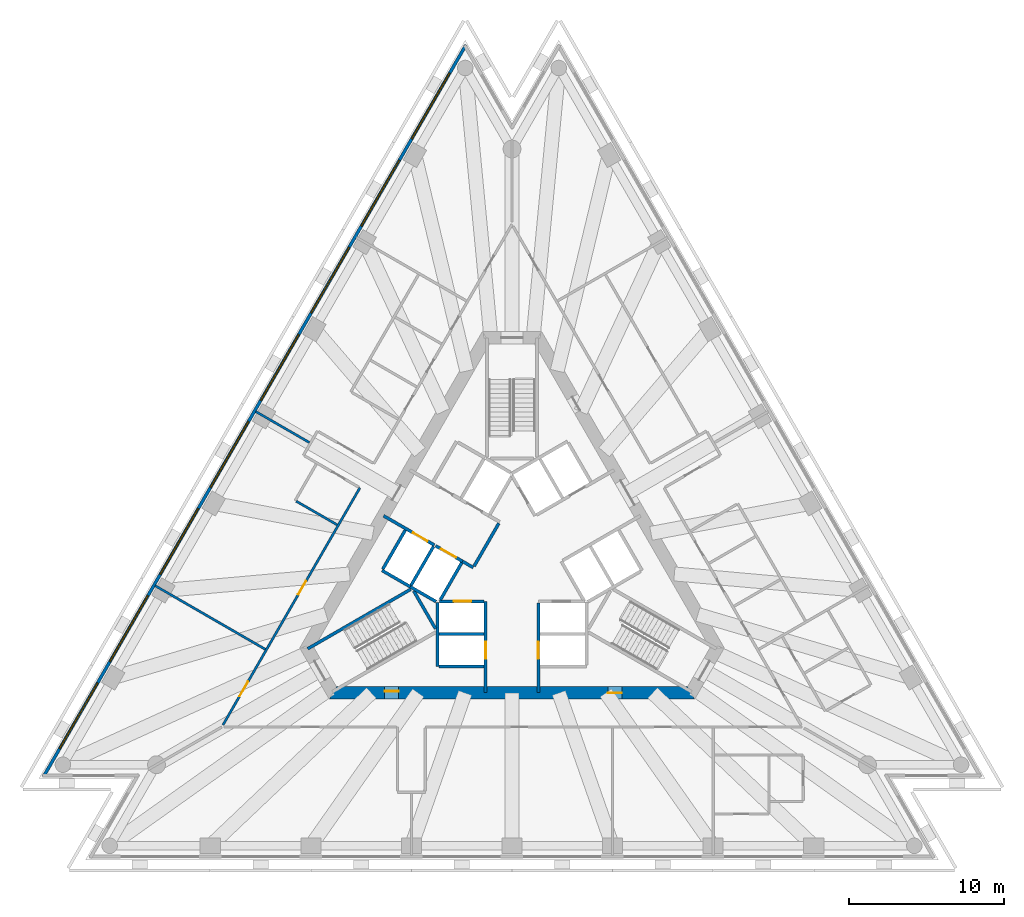
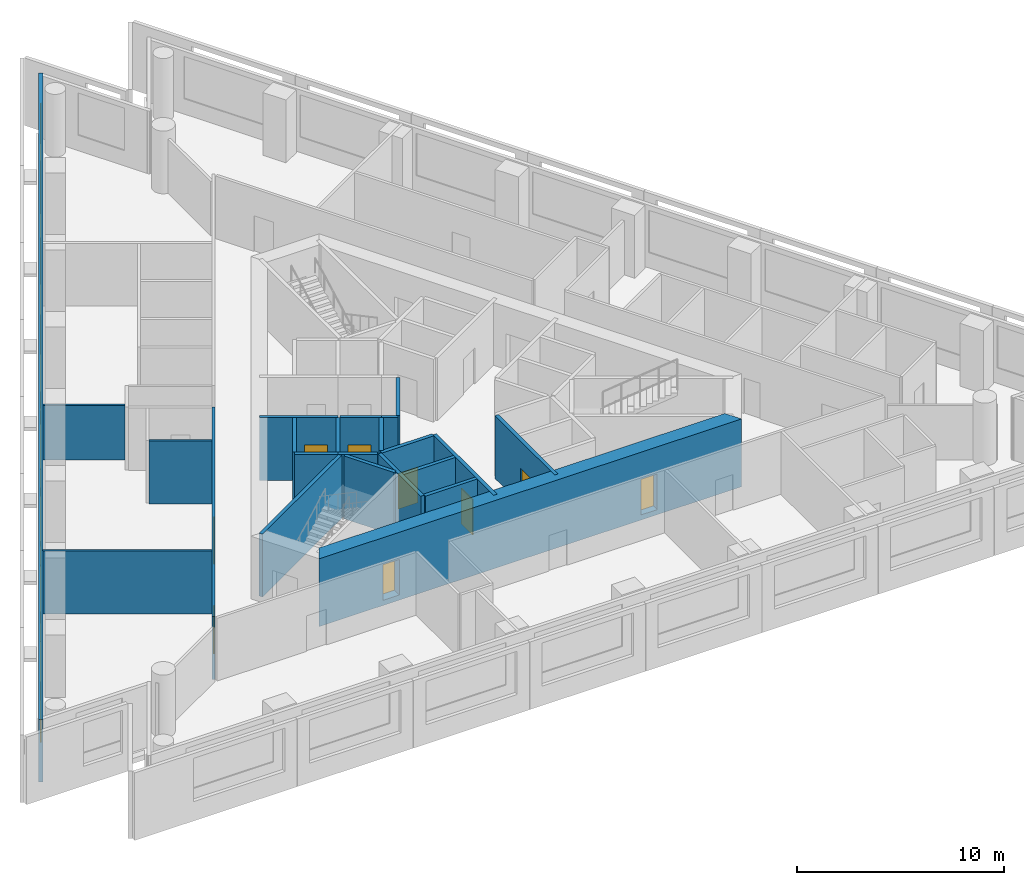
# One storey, part 3 of 9: 23 walls, 9 doors, 8 windows, 17 openings.
"""IFC4 building model written with IfcOpenShell, lengths in metres."""

from ifc_helpers import new_model, si_unit, direction, frame, frame_2d, origin, place, context, subcontext, project, spatial, polyline, rectangle, outline, extrude, material, layer, layer_set, layer_usage, type_object, element, fill, save


model = new_model("IFC4")

# Units and contexts
model_context = context("Model", 3, precision=1e-05, world=origin(), true_north=direction((0.0, 1.0)))
body_context = subcontext(model_context, "Body", "Model", "MODEL_VIEW")
ifc_project = project(units=[si_unit("LENGTHUNIT", "METRE"), si_unit("AREAUNIT", "SQUARE_METRE"), si_unit("VOLUMEUNIT", "CUBIC_METRE"), si_unit("PLANEANGLEUNIT", "RADIAN"), si_unit("MASSUNIT", "GRAM", prefix="KILO")], contexts=[model_context])

# Site, building, storey
site_placement = place(None, origin())
site = spatial("IfcSite", under=ifc_project, at=site_placement, CompositionType="ELEMENT")
building_placement = place(site_placement, origin())
building = spatial("IfcBuilding", under=site, at=building_placement, Name="Triada Interchange Tower", CompositionType="ELEMENT")
storey_placement = place(building_placement, frame((0.0, 0.0, 168.300048828125)))
storey = spatial("IfcBuildingStorey", under=building, at=storey_placement, Name="L39", CompositionType="ELEMENT", Elevation=168.300048828125)

# Walls
ifc_material_1 = material(Name="Concrete C30/37", Category="concrete")
ifc_layer_1 = layer(ifc_material_1, 0.199951171875)
ifc_layer_set_1 = layer_set([ifc_layer_1], Name="CORE WALL 200 EI 120")
wall_type_1 = type_object("IfcWallType", Name="CORE WALL 200 EI 120", PredefinedType="SOLIDWALL", material=ifc_layer_set_1)
wall_1_placement = place(storey_placement, frame((-8.3759765625, -0.70703125, 0.0), z_axis=(0.0, 0.0, 1.0), x_axis=(0.866067520717, -0.499927044236, 0.0)))
element("IfcWall", 1, at=wall_1_placement, inside=storey, type_object=wall_type_1, Name="Wall L38 48", PredefinedType="SOLIDWALL", context=body_context, shape_type="SweptSolid", body=[
    extrude(rectangle(XDim=2.100341796875, YDim=0.199951171875, at=frame_2d((1.05029296875, 0.0))), origin(), (0.0, 0.0, 1.0), 3.699951171875),
])
wall_2_placement = place(storey_placement, frame((-8.325927734375, -0.6201171875, 0.0), z_axis=(0.0, 0.0, 1.0), x_axis=(0.500023687443, 0.866011727401, 0.0)))
element("IfcWall", 2, at=wall_2_placement, inside=storey, type_object=wall_type_1, Name="Wall L38 49", PredefinedType="SOLIDWALL", context=body_context, shape_type="SweptSolid", body=[
    extrude(rectangle(XDim=2.899658203125, YDim=0.199951171875, at=frame_2d((1.44970703125, 0.0))), origin(), (0.0, 0.0, 1.0), 3.699951171875),
])
wall_3_placement = place(storey_placement, frame((-4.800048828125, -6.89990234375, 0.0), z_axis=(0.0, 0.0, 1.0), x_axis=(0.0, 1.0, 0.0)))
element("IfcWall", 3, at=wall_3_placement, inside=storey, type_object=wall_type_1, Name="Wall L38 50", PredefinedType="SOLIDWALL", context=body_context, shape_type="SweptSolid", body=[
    extrude(rectangle(XDim=4.130859375, YDim=0.199951171875, at=frame_2d((2.0654296875, 0.0))), origin(), (0.0, 0.0, 1.0), 3.699951171875),
])
for number, where, z_axis, x_axis, name in (
    (4, (-4.699951171875, -6.89990234375, 0.0), (0.0, 0.0, 1.0), (1.0, 0.0, 0.0), "Wall L38 51"),
    (5, (-4.699951171875, -4.800048828125, 0.0), (0.0, 0.0, 1.0), (1.0, 0.0, 0.0), "Wall L38 53"),
):
    element("IfcWall", number, at=place(storey_placement, frame(where, z_axis=z_axis, x_axis=x_axis)), inside=storey, type_object=wall_type_1, Name=name, PredefinedType="SOLIDWALL", context=body_context, shape_type="SweptSolid", body=[
        extrude(rectangle(XDim=2.89990234375, YDim=0.199951171875, at=frame_2d((1.449951171875, 0.0))), origin(), (0.0, 0.0, 1.0), 3.699951171875),
    ])

# Wall, opening, door
wall_4_placement = place(storey_placement, frame((-1.699951171875, -8.580078125, 0.0), z_axis=(0.0, 0.0, 1.0), x_axis=(0.0, 1.0, 0.0)))
wall_4 = element("IfcWall", 6, at=wall_4_placement, inside=storey, type_object=wall_type_1, Name="Wall L38 55", PredefinedType="SOLIDWALL", context=body_context, shape_type="SweptSolid", body=[
    extrude(rectangle(XDim=5.877197265625, YDim=0.199951171875, at=frame_2d((2.9384765625, 0.0))), origin(), (0.0, 0.0, 1.0), 3.699951171875),
])
opening_1_placement = place(wall_4_placement, frame((2.179931640625, 0.0, 0.0)))
opening_1 = element("IfcOpeningElement", 7, at=opening_1_placement, cuts=wall_4, Name="Opening LD-LR4", PredefinedType="OPENING", context=body_context, shape_type="SweptSolid", body=[
    extrude(rectangle(XDim=1.10009765625, YDim=2.10009765625, at=frame_2d((0.550048828125, 1.050048828125))), frame((0.0, 0.10986328125, 0.0), z_axis=(0.0, -1.0, 0.0), x_axis=(1.0, 0.0, 0.0)), (0.0, 0.0, 1.0), 0.219970703125),
])
ifc_material_2 = material(Name="Steel S235 door leaf", Category="steel")
door_type_1 = type_object("IfcDoorType", Name="LIFT LANDING DOOR 1100 EI 120", OperationType="SLIDING_TO_LEFT", PredefinedType="DOOR", material=ifc_material_2)
door_1_placement = place(opening_1_placement, origin())
door_1 = element("IfcDoor", 8, at=door_1_placement, inside=storey, type_object=door_type_1, Name="LR4 landing door L39", OperationType="SLIDING_TO_LEFT", OverallHeight=2.10009765625, OverallWidth=1.10009765625, PredefinedType="DOOR", context=body_context, shape_type="SweptSolid", body=[
    extrude(rectangle(XDim=1.10009765625, YDim=2.10009765625, at=frame_2d((0.550048828125, 1.050048828125))), frame((0.0, 0.02490234375, 0.0), z_axis=(0.0, -1.0, 0.0), x_axis=(1.0, 0.0, 0.0)), (0.0, 0.0, 1.0), 0.050048828125),
])
fill(opening_1, door_1)

wall_5_placement = place(storey_placement, frame((-4.676025390625, -2.699951171875, 0.0), z_axis=(0.0, 0.0, 1.0), x_axis=(1.0, 0.0, 0.0)))
wall_5 = element("IfcWall", 9, at=wall_5_placement, inside=storey, type_object=wall_type_1, Name="Wall L38 56", PredefinedType="SOLIDWALL", context=body_context, shape_type="SweptSolid", body=[
    extrude(rectangle(XDim=2.873046875, YDim=0.199951171875, at=frame_2d((1.4365234375, 0.0))), origin(), (0.0, 0.0, 1.0), 3.699951171875),
])
opening_2_placement = place(wall_5_placement, frame((0.93701171875, 0.0, 0.0)))
opening_2 = element("IfcOpeningElement", 10, at=opening_2_placement, cuts=wall_5, Name="Opening LD-LR3", PredefinedType="OPENING", context=body_context, shape_type="SweptSolid", body=[
    extrude(rectangle(XDim=1.10009765625, YDim=2.10009765625, at=frame_2d((0.550048828125, 1.050048828125))), frame((0.0, 0.10986328125, 0.0), z_axis=(0.0, -1.0, 0.0), x_axis=(1.0, 0.0, 0.0)), (0.0, 0.0, 1.0), 0.219970703125),
])
door_2_placement = place(opening_2_placement, origin())
door_2 = element("IfcDoor", 11, at=door_2_placement, inside=storey, type_object=door_type_1, Name="LR3 landing door L39", OperationType="SLIDING_TO_LEFT", OverallHeight=2.10009765625, OverallWidth=1.10009765625, PredefinedType="DOOR", context=body_context, shape_type="SweptSolid", body=[
    extrude(rectangle(XDim=1.10009765625, YDim=2.10009765625, at=frame_2d((0.550048828125, 1.050048828125))), frame((0.0, 0.02490234375, 0.0), z_axis=(0.0, -1.0, 0.0), x_axis=(1.0, 0.0, 0.0)), (0.0, 0.0, 1.0), 0.050048828125),
])
fill(opening_2, door_2)

wall_6_placement = place(storey_placement, frame((1.699951171875, -8.580078125, 0.0), z_axis=(0.0, 0.0, 1.0), x_axis=(0.0, 1.0, 0.0)))
wall_6 = element("IfcWall", 12, at=wall_6_placement, inside=storey, type_object=wall_type_1, Name="Wall L38 62", PredefinedType="SOLIDWALL", context=body_context, shape_type="SweptSolid", body=[
    extrude(rectangle(XDim=5.777099609375, YDim=0.199951171875, at=frame_2d((2.888671875, 0.0))), origin(), (0.0, 0.0, 1.0), 3.699951171875),
])
opening_3_placement = place(wall_6_placement, frame((2.179931640625, 0.0, 0.0)))
opening_3 = element("IfcOpeningElement", 13, at=opening_3_placement, cuts=wall_6, Name="Opening LD-LR2", PredefinedType="OPENING", context=body_context, shape_type="SweptSolid", body=[
    extrude(rectangle(XDim=1.10009765625, YDim=2.10009765625, at=frame_2d((0.550048828125, 1.050048828125))), frame((0.0, 0.10986328125, 0.0), z_axis=(0.0, -1.0, 0.0), x_axis=(1.0, 0.0, 0.0)), (0.0, 0.0, 1.0), 0.219970703125),
])
door_3_placement = place(opening_3_placement, origin())
door_3 = element("IfcDoor", 14, at=door_3_placement, inside=storey, type_object=door_type_1, Name="LR2 landing door L39", OperationType="SLIDING_TO_LEFT", OverallHeight=2.10009765625, OverallWidth=1.10009765625, PredefinedType="DOOR", context=body_context, shape_type="SweptSolid", body=[
    extrude(rectangle(XDim=1.10009765625, YDim=2.10009765625, at=frame_2d((0.550048828125, 1.050048828125))), frame((0.0, 0.02490234375, 0.0), z_axis=(0.0, -1.0, 0.0), x_axis=(1.0, 0.0, 0.0)), (0.0, 0.0, 1.0), 0.050048828125),
])
fill(opening_3, door_3)

ifc_layer_2 = layer(ifc_material_1, 0.199951171875)
ifc_layer_set_2 = layer_set([ifc_layer_2], Name="CORE WALL 200 EI 180")
wall_type_2 = type_object("IfcWallType", Name="CORE WALL 200 EI 180", PredefinedType="SOLIDWALL", material=ifc_layer_set_2)
wall_7_placement = place(storey_placement, frame((-8.280029296875, 2.818115234375, 0.0), z_axis=(0.0, 0.0, 1.0), x_axis=(0.86600175068, -0.50004096614, 0.0)))
wall_7 = element("IfcWall", 15, at=wall_7_placement, inside=storey, type_object=wall_type_2, Name="Wall L38 70", PredefinedType="SOLIDWALL", context=body_context, shape_type="SweptSolid", body=[
    extrude(rectangle(XDim=3.781982421875, YDim=0.199951171875, at=frame_2d((1.89111328125, 0.0))), origin(), (0.0, 0.0, 1.0), 3.699951171875),
])
opening_4_placement = place(wall_7_placement, frame((2.179931640625, 0.0, 0.0)))
opening_4 = element("IfcOpeningElement", 16, at=opening_4_placement, cuts=wall_7, Name="Opening LD-SV1", PredefinedType="OPENING", context=body_context, shape_type="SweptSolid", body=[
    extrude(rectangle(XDim=1.10009765625, YDim=2.10009765625, at=frame_2d((0.550048828125, 1.050048828125))), frame((0.0, 0.10986328125, 0.0), z_axis=(0.0, -1.0, 0.0), x_axis=(1.0, 0.0, 0.0)), (0.0, 0.0, 1.0), 0.219970703125),
])
door_4_placement = place(opening_4_placement, origin())
door_4 = element("IfcDoor", 17, at=door_4_placement, inside=storey, type_object=door_type_1, Name="SV1 landing door L39", OperationType="SLIDING_TO_LEFT", OverallHeight=2.10009765625, OverallWidth=1.10009765625, PredefinedType="DOOR", context=body_context, shape_type="SweptSolid", body=[
    extrude(rectangle(XDim=1.10009765625, YDim=2.10009765625, at=frame_2d((0.550048828125, 1.050048828125))), frame((0.0, 0.02490234375, 0.0), z_axis=(0.0, -1.0, 0.0), x_axis=(1.0, 0.0, 0.0)), (0.0, 0.0, 1.0), 0.050048828125),
])
fill(opening_4, door_4)

# Walls
wall_8_placement = place(storey_placement, frame((-3.18798828125, -0.1220703125, 0.0), z_axis=(0.0, 0.0, 1.0), x_axis=(0.865705793592, -0.50055317294, 0.0)))
element("IfcWall", 18, at=wall_8_placement, inside=storey, type_object=wall_type_2, Name="Wall L38 71", PredefinedType="SOLIDWALL", context=body_context, shape_type="SweptSolid", body=[
    extrude(rectangle(XDim=0.796875, YDim=0.199951171875, at=frame_2d((0.3984375, 0.0))), origin(), (0.0, 0.0, 1.0), 3.699951171875),
])
wall_9_placement = place(storey_placement, frame((-2.444091796875, -0.43310546875, 0.0), z_axis=(0.0, 0.0, 1.0), x_axis=(0.500035624827, 0.866004834804, 0.0)))
element("IfcWall", 19, at=wall_9_placement, inside=storey, type_object=wall_type_2, Name="Wall L38 76", PredefinedType="SOLIDWALL", context=body_context, shape_type="SweptSolid", body=[
    extrude(rectangle(XDim=3.194091796875, YDim=0.199951171875, at=frame_2d((1.59716796875, 0.0))), origin(), (0.0, 0.0, 1.0), 3.699951171875),
])
wall_10_placement = place(storey_placement, frame((-6.556884765625, -1.757080078125, 0.0), z_axis=(0.0, 0.0, 1.0), x_axis=(0.8659754619, -0.500086491905, 0.0)))
element("IfcWall", 20, at=wall_10_placement, inside=storey, type_object=wall_type_2, Name="Shaft wall FF1 L38 77", PredefinedType="SOLIDWALL", context=body_context, shape_type="SweptSolid", body=[
    extrude(rectangle(XDim=1.915771484375, YDim=0.199951171875, at=frame_2d((0.9580078125, 0.0))), origin(), (0.0, 0.0, 1.0), 3.699951171875),
])
wall_11_placement = place(storey_placement, frame((-6.507080078125, -1.669921875, 0.0), z_axis=(0.0, 0.0, 1.0), x_axis=(0.50012328804, 0.865954211699, 0.0)))
element("IfcWall", 21, at=wall_11_placement, inside=storey, type_object=wall_type_2, Name="Shaft wall FF1 L38 78", PredefinedType="SOLIDWALL", context=body_context, shape_type="SweptSolid", body=[
    extrude(rectangle(XDim=2.899658203125, YDim=0.199951171875, at=frame_2d((1.44970703125, 0.0))), origin(), (0.0, 0.0, 1.0), 3.699951171875),
])

# Wall, opening, door
wall_12_placement = place(storey_placement, frame((-4.919921875, 0.8779296875, 0.0), z_axis=(0.0, 0.0, 1.0), x_axis=(0.866010750942, -0.50002537861, 0.0)))
wall_12 = element("IfcWall", 22, at=wall_12_placement, inside=storey, type_object=wall_type_2, Name="Shaft wall FF1 L38 79", PredefinedType="SOLIDWALL", context=body_context, shape_type="SweptSolid", body=[
    extrude(rectangle(XDim=2.0, YDim=0.199951171875, at=frame_2d((1.0, 0.0))), origin(), (0.0, 0.0, 1.0), 3.699951171875),
])
opening_5_placement = place(wall_12_placement, frame((0.39990234375, 0.0, 0.0)))
opening_5 = element("IfcOpeningElement", 23, at=opening_5_placement, cuts=wall_12, Name="Opening LD-FF1", PredefinedType="OPENING", context=body_context, shape_type="SweptSolid", body=[
    extrude(rectangle(XDim=1.10009765625, YDim=2.10009765625, at=frame_2d((0.550048828125, 1.050048828125))), frame((0.0, 0.10986328125, 0.0), z_axis=(0.0, -1.0, 0.0), x_axis=(1.0, 0.0, 0.0)), (0.0, 0.0, 1.0), 0.219970703125),
])
door_5_placement = place(opening_5_placement, origin())
door_5 = element("IfcDoor", 24, at=door_5_placement, inside=storey, type_object=door_type_1, Name="FF1 landing door L39", OperationType="SLIDING_TO_LEFT", OverallHeight=2.10009765625, OverallWidth=1.10009765625, PredefinedType="DOOR", context=body_context, shape_type="SweptSolid", body=[
    extrude(rectangle(XDim=1.10009765625, YDim=2.10009765625, at=frame_2d((0.550048828125, 1.050048828125))), frame((0.0, 0.02490234375, 0.0), z_axis=(0.0, -1.0, 0.0), x_axis=(1.0, 0.0, 0.0)), (0.0, 0.0, 1.0), 0.050048828125),
])
fill(opening_5, door_5)

# Walls
wall_13_placement = place(storey_placement, frame((-4.618896484375, -2.60009765625, 0.0), z_axis=(0.0, 0.0, 1.0), x_axis=(0.50009492287, 0.865970593103, 0.0)))
element("IfcWall", 25, at=wall_13_placement, inside=storey, type_object=wall_type_2, Name="Shaft wall FF1 L38 80", PredefinedType="SOLIDWALL", context=body_context, shape_type="SweptSolid", body=[
    extrude(rectangle(XDim=2.76123046875, YDim=0.199951171875, at=frame_2d((1.380615234375, 0.0))), origin(), (0.0, 0.0, 1.0), 3.699951171875),
])
ifc_layer_3 = layer(ifc_material_1, 0.199951171875)
ifc_layer_set_3 = layer_set([ifc_layer_3], Name="CORE WALL 200 REI 240")
wall_type_3 = type_object("IfcWallType", Name="CORE WALL 200 REI 240", PredefinedType="SOLIDWALL", material=ifc_layer_set_3)
wall_14_placement = place(storey_placement, frame((-13.1669921875, -5.75390625, 0.0), z_axis=(0.0, 0.0, 1.0), x_axis=(0.866060938598, 0.499938446846, 0.0)))
element("IfcWall", 26, at=wall_14_placement, inside=storey, type_object=wall_type_3, Name="Wall L38 85", PredefinedType="SOLIDWALL", context=body_context, shape_type="SweptSolid", body=[
    extrude(rectangle(XDim=7.66455078125, YDim=0.199951171875, at=frame_2d((3.832275390625, 0.0))), origin(), (0.0, 0.0, 1.0), 3.699951171875),
])
wall_15_placement = place(storey_placement, frame((-6.3291015625, -2.0380859375, 0.0), z_axis=(0.0, 0.0, 1.0), x_axis=(0.500200581029, -0.865909567298, 0.0)))
element("IfcWall", 27, at=wall_15_placement, inside=storey, type_object=wall_type_3, Name="Wall L38 86", PredefinedType="SOLIDWALL", context=body_context, shape_type="SweptSolid", body=[
    extrude(rectangle(XDim=2.799072265625, YDim=0.199951171875, at=frame_2d((1.3994140625, 0.0))), origin(), (0.0, 0.0, 1.0), 3.699951171875),
])

# Wall, openings, doors
ifc_material_3 = material(Name="Concrete C60/75", Category="concrete")
ifc_layer_4 = layer(ifc_material_3, 0.800048828125)
ifc_layer_set_4 = layer_set([ifc_layer_4], Name="Core wall B 800")
wall_type_4 = type_object("IfcWallType", Name="Core wall B 800", PredefinedType="SHEAR", material=ifc_layer_set_4)
wall_16_placement = place(storey_placement, frame((-11.547119140625, -8.60009765625, -0.300048828125), z_axis=(0.0, 0.0, 1.0), x_axis=(1.0, 0.0, 0.0)))
wall_16 = element("IfcWall", 28, at=wall_16_placement, inside=storey, type_object=wall_type_4, Name="Core wall WB04 L39", PredefinedType="SHEAR", context=body_context, shape_type="SweptSolid", body=[
    extrude(outline(polyline([(-0.23095703125, -0.39990234375), (1.73193359375, -0.39990234375), (3.695068359375, -0.39990234375), (5.657958984375, -0.39990234375), (7.62109375, -0.39990234375), (9.583984375, -0.39990234375), (11.546875, -0.39990234375), (13.510009765625, -0.39990234375), (15.472900390625, -0.39990234375), (17.43603515625, -0.39990234375), (19.39892578125, -0.39990234375), (21.362060546875, -0.39990234375), (23.324951171875, -0.39990234375), (22.863037109375, 0.39990234375), (20.97705078125, 0.39990234375), (19.091064453125, 0.39990234375), (17.205078125, 0.39990234375), (15.319091796875, 0.39990234375), (13.43310546875, 0.39990234375), (11.546875, 0.39990234375), (9.660888671875, 0.39990234375), (7.77490234375, 0.39990234375), (5.888916015625, 0.39990234375), (4.0029296875, 0.39990234375), (2.116943359375, 0.39990234375), (0.23095703125, 0.39990234375), (-0.23095703125, -0.39990234375)])), origin(), (0.0, 0.0, 1.0), 4.0),
])
opening_6_placement = place(wall_16_placement, frame((3.340087890625, 0.0, 0.300048828125)))
opening_6 = element("IfcOpeningElement", 29, at=opening_6_placement, cuts=wall_16, Name="Opening D38-40", PredefinedType="OPENING", context=body_context, shape_type="SweptSolid", body=[
    extrude(rectangle(XDim=0.89990234375, YDim=2.10009765625, at=frame_2d((0.449951171875, 1.050048828125))), frame((0.0, 0.409912109375, 0.0), z_axis=(0.0, -1.0, 0.0), x_axis=(1.0, 0.0, 0.0)), (0.0, 0.0, 1.0), 0.820068359375),
])
opening_7_placement = place(wall_16_placement, frame((17.721923828125, 0.0, 0.300048828125)))
opening_7 = element("IfcOpeningElement", 30, at=opening_7_placement, cuts=wall_16, Name="Opening D38-42", PredefinedType="OPENING", context=body_context, shape_type="SweptSolid", body=[
    extrude(rectangle(XDim=0.89990234375, YDim=2.10009765625, at=frame_2d((0.449951171875, 1.050048828125))), frame((0.0, 0.409912109375, 0.0), z_axis=(0.0, -1.0, 0.0), x_axis=(1.0, 0.0, 0.0)), (0.0, 0.0, 1.0), 0.820068359375),
])
door_type_2 = type_object("IfcDoorType", Name="RISER ACCESS DOOR 900 EI2 45-C5S200", OperationType="NOTDEFINED", PredefinedType="DOOR", material=ifc_material_2)
door_6_placement = place(opening_7_placement, origin())
door_6 = element("IfcDoor", 31, at=door_6_placement, inside=storey, type_object=door_type_2, Name="Door D38-42 L39", OperationType="SINGLE_SWING_LEFT", OverallHeight=2.10009765625, OverallWidth=0.89990234375, PredefinedType="DOOR", context=body_context, shape_type="SweptSolid", body=[
    extrude(rectangle(XDim=0.89990234375, YDim=2.10009765625, at=frame_2d((0.449951171875, 1.050048828125))), frame((0.0, 0.02490234375, 0.0), z_axis=(0.0, -1.0, 0.0), x_axis=(1.0, 0.0, 0.0)), (0.0, 0.0, 1.0), 0.050048828125),
])
fill(opening_7, door_6)
door_type_3 = type_object("IfcDoorType", Name="SERVICE DOOR 900 EI2 45-C5S200", OperationType="NOTDEFINED", PredefinedType="DOOR", material=ifc_material_2)
door_7_placement = place(opening_6_placement, origin())
door_7 = element("IfcDoor", 32, at=door_7_placement, inside=storey, type_object=door_type_3, Name="Door D38-40 L39", OperationType="SINGLE_SWING_LEFT", OverallHeight=2.10009765625, OverallWidth=0.89990234375, PredefinedType="DOOR", context=body_context, shape_type="SweptSolid", body=[
    extrude(rectangle(XDim=0.89990234375, YDim=2.10009765625, at=frame_2d((0.449951171875, 1.050048828125))), frame((0.0, 0.125, 0.0), z_axis=(0.0, -1.0, 0.0), x_axis=(1.0, 0.0, 0.0)), (0.0, 0.0, 1.0), 0.050048828125),
])
fill(opening_6, door_7)

# Wall, openings, windows
ifc_material_4 = material(Name="Cement board")
ifc_layer_5 = layer(ifc_material_4, 0.02001953125, Name="Cement board cladding")
ifc_material_5 = material(Name="Sheathing board")
ifc_layer_6 = layer(ifc_material_5, 0.014892578125, Name="Sheathing board")
ifc_material_6 = material(Name="Mineral wool")
ifc_layer_7 = layer(ifc_material_6, 0.14990234375, Name="Mineral wool between steel studs")
ifc_material_7 = material(Name="Gypsum board")
ifc_layer_8 = layer(ifc_material_7, 0.014892578125, Name="Plasterboard lining")
ifc_layer_set_5 = layer_set([ifc_layer_5, ifc_layer_6, ifc_layer_7, ifc_layer_8], Name="External wall 200")
ifc_layer_usage = layer_usage(ifc_layer_set_5, "AXIS2", "POSITIVE", -0.10009765625)
wall_type_5 = type_object("IfcWallType", Name="External wall 200", PredefinedType="ELEMENTEDWALL", material=ifc_layer_set_5)
wall_17_placement = place(storey_placement, frame((-2.971923828125, 33.159912109375, 0.0), z_axis=(0.0, 0.0, 1.0), x_axis=(-0.500009959561, -0.866019653553, 0.0)))
wall_17 = element("IfcWall", 33, at=wall_17_placement, inside=storey, type_object=wall_type_5, material=ifc_layer_usage, Name="External wall L39 NW", PredefinedType="ELEMENTEDWALL", context=body_context, shape_type="SweptSolid", body=[
    extrude(rectangle(XDim=54.443359375, YDim=0.199951171875, at=frame_2d((27.2216796875, 0.0))), origin(), (0.0, 0.0, 1.0), 3.699951171875),
])
opening_8_placement = place(wall_17_placement, frame((2.093994140625, 0.0, 0.89990234375)))
opening_8 = element("IfcOpeningElement", 34, at=opening_8_placement, cuts=wall_17, Name="Opening WB01", PredefinedType="OPENING", context=body_context, shape_type="SweptSolid", body=[
    extrude(rectangle(XDim=4.89990234375, YDim=2.5, at=frame_2d((2.449951171875, 1.25))), frame((0.0, 0.10986328125, 0.0), z_axis=(0.0, -1.0, 0.0), x_axis=(1.0, 0.0, 0.0)), (0.0, 0.0, 1.0), 0.219970703125),
])
opening_9_placement = place(wall_17_placement, frame((8.575927734375, 0.0, 0.89990234375)))
opening_9 = element("IfcOpeningElement", 35, at=opening_9_placement, cuts=wall_17, Name="Opening WB02", PredefinedType="OPENING", context=body_context, shape_type="SweptSolid", body=[
    extrude(rectangle(XDim=4.89990234375, YDim=2.5, at=frame_2d((2.449951171875, 1.25))), frame((0.0, 0.10986328125, 0.0), z_axis=(0.0, -1.0, 0.0), x_axis=(1.0, 0.0, 0.0)), (0.0, 0.0, 1.0), 0.219970703125),
])
opening_10_placement = place(wall_17_placement, frame((15.05810546875, 0.0, 0.89990234375)))
opening_10 = element("IfcOpeningElement", 36, at=opening_10_placement, cuts=wall_17, Name="Opening WB03", PredefinedType="OPENING", context=body_context, shape_type="SweptSolid", body=[
    extrude(rectangle(XDim=4.89990234375, YDim=2.5, at=frame_2d((2.449951171875, 1.25))), frame((0.0, 0.10986328125, 0.0), z_axis=(0.0, -1.0, 0.0), x_axis=(1.0, 0.0, 0.0)), (0.0, 0.0, 1.0), 0.219970703125),
])
opening_11_placement = place(wall_17_placement, frame((21.5400390625, 0.0, 0.89990234375)))
opening_11 = element("IfcOpeningElement", 37, at=opening_11_placement, cuts=wall_17, Name="Opening WB04", PredefinedType="OPENING", context=body_context, shape_type="SweptSolid", body=[
    extrude(rectangle(XDim=4.89990234375, YDim=2.5, at=frame_2d((2.449951171875, 1.25))), frame((0.0, 0.10986328125, 0.0), z_axis=(0.0, -1.0, 0.0), x_axis=(1.0, 0.0, 0.0)), (0.0, 0.0, 1.0), 0.219970703125),
])
opening_12_placement = place(wall_17_placement, frame((28.02197265625, 0.0, 0.89990234375)))
opening_12 = element("IfcOpeningElement", 38, at=opening_12_placement, cuts=wall_17, Name="Opening WB05", PredefinedType="OPENING", context=body_context, shape_type="SweptSolid", body=[
    extrude(rectangle(XDim=4.89990234375, YDim=2.5, at=frame_2d((2.449951171875, 1.25))), frame((0.0, 0.10986328125, 0.0), z_axis=(0.0, -1.0, 0.0), x_axis=(1.0, 0.0, 0.0)), (0.0, 0.0, 1.0), 0.219970703125),
])
opening_13_placement = place(wall_17_placement, frame((34.5048828125, 0.0, 0.89990234375)))
opening_13 = element("IfcOpeningElement", 39, at=opening_13_placement, cuts=wall_17, Name="Opening WB06", PredefinedType="OPENING", context=body_context, shape_type="SweptSolid", body=[
    extrude(rectangle(XDim=4.89990234375, YDim=2.5, at=frame_2d((2.449951171875, 1.25))), frame((0.0, 0.10986328125, 0.0), z_axis=(0.0, -1.0, 0.0), x_axis=(1.0, 0.0, 0.0)), (0.0, 0.0, 1.0), 0.219970703125),
])
opening_14_placement = place(wall_17_placement, frame((40.987060546875, 0.0, 0.89990234375)))
opening_14 = element("IfcOpeningElement", 40, at=opening_14_placement, cuts=wall_17, Name="Opening WB07", PredefinedType="OPENING", context=body_context, shape_type="SweptSolid", body=[
    extrude(rectangle(XDim=4.89990234375, YDim=2.5, at=frame_2d((2.449951171875, 1.25))), frame((0.0, 0.10986328125, 0.0), z_axis=(0.0, -1.0, 0.0), x_axis=(1.0, 0.0, 0.0)), (0.0, 0.0, 1.0), 0.219970703125),
])
opening_15_placement = place(wall_17_placement, frame((47.468994140625, 0.0, 0.89990234375)))
opening_15 = element("IfcOpeningElement", 41, at=opening_15_placement, cuts=wall_17, Name="Opening WB08", PredefinedType="OPENING", context=body_context, shape_type="SweptSolid", body=[
    extrude(rectangle(XDim=4.89990234375, YDim=2.5, at=frame_2d((2.449951171875, 1.25))), frame((0.0, 0.10986328125, 0.0), z_axis=(0.0, -1.0, 0.0), x_axis=(1.0, 0.0, 0.0)), (0.0, 0.0, 1.0), 0.219970703125),
])
ifc_material_8 = material(Name="Double glazed aluminium window", Category="aluminium")
window_type = type_object("IfcWindowType", Name="Ribbon window B face", PartitioningType="SINGLE_PANEL", PredefinedType="WINDOW", material=ifc_material_8)
window_1_placement = place(opening_8_placement, origin())
window_1 = element("IfcWindow", 42, at=window_1_placement, inside=storey, type_object=window_type, Name="Window L39 NW 1", OverallHeight=2.5, OverallWidth=4.89990234375, PartitioningType="SINGLE_PANEL", PredefinedType="WINDOW", context=body_context, shape_type="SweptSolid", body=[
    extrude(rectangle(XDim=4.89990234375, YDim=2.5, at=frame_2d((2.449951171875, 1.25))), frame((0.0, 0.030029296875, 0.0), z_axis=(0.0, -1.0, 0.0), x_axis=(1.0, 0.0, 0.0)), (0.0, 0.0, 1.0), 0.06005859375),
])
fill(opening_8, window_1)
window_2_placement = place(opening_9_placement, origin())
window_2 = element("IfcWindow", 43, at=window_2_placement, inside=storey, type_object=window_type, Name="Window L39 NW 2", OverallHeight=2.5, OverallWidth=4.89990234375, PartitioningType="SINGLE_PANEL", PredefinedType="WINDOW", context=body_context, shape_type="SweptSolid", body=[
    extrude(rectangle(XDim=4.89990234375, YDim=2.5, at=frame_2d((2.449951171875, 1.25))), frame((0.0, 0.030029296875, 0.0), z_axis=(0.0, -1.0, 0.0), x_axis=(1.0, 0.0, 0.0)), (0.0, 0.0, 1.0), 0.06005859375),
])
fill(opening_9, window_2)
window_3_placement = place(opening_10_placement, origin())
window_3 = element("IfcWindow", 44, at=window_3_placement, inside=storey, type_object=window_type, Name="Window L39 NW 3", OverallHeight=2.5, OverallWidth=4.89990234375, PartitioningType="SINGLE_PANEL", PredefinedType="WINDOW", context=body_context, shape_type="SweptSolid", body=[
    extrude(rectangle(XDim=4.89990234375, YDim=2.5, at=frame_2d((2.449951171875, 1.25))), frame((0.0, 0.030029296875, 0.0), z_axis=(0.0, -1.0, 0.0), x_axis=(1.0, 0.0, 0.0)), (0.0, 0.0, 1.0), 0.06005859375),
])
fill(opening_10, window_3)
window_4_placement = place(opening_11_placement, origin())
window_4 = element("IfcWindow", 45, at=window_4_placement, inside=storey, type_object=window_type, Name="Window L39 NW 4", OverallHeight=2.5, OverallWidth=4.89990234375, PartitioningType="SINGLE_PANEL", PredefinedType="WINDOW", context=body_context, shape_type="SweptSolid", body=[
    extrude(rectangle(XDim=4.89990234375, YDim=2.5, at=frame_2d((2.449951171875, 1.25))), frame((0.0, 0.030029296875, 0.0), z_axis=(0.0, -1.0, 0.0), x_axis=(1.0, 0.0, 0.0)), (0.0, 0.0, 1.0), 0.06005859375),
])
fill(opening_11, window_4)
window_5_placement = place(opening_12_placement, origin())
window_5 = element("IfcWindow", 46, at=window_5_placement, inside=storey, type_object=window_type, Name="Window L39 NW 5", OverallHeight=2.5, OverallWidth=4.89990234375, PartitioningType="SINGLE_PANEL", PredefinedType="WINDOW", context=body_context, shape_type="SweptSolid", body=[
    extrude(rectangle(XDim=4.89990234375, YDim=2.5, at=frame_2d((2.449951171875, 1.25))), frame((0.0, 0.030029296875, 0.0), z_axis=(0.0, -1.0, 0.0), x_axis=(1.0, 0.0, 0.0)), (0.0, 0.0, 1.0), 0.06005859375),
])
fill(opening_12, window_5)
window_6_placement = place(opening_13_placement, origin())
window_6 = element("IfcWindow", 47, at=window_6_placement, inside=storey, type_object=window_type, Name="Window L39 NW 6", OverallHeight=2.5, OverallWidth=4.89990234375, PartitioningType="SINGLE_PANEL", PredefinedType="WINDOW", context=body_context, shape_type="SweptSolid", body=[
    extrude(rectangle(XDim=4.89990234375, YDim=2.5, at=frame_2d((2.449951171875, 1.25))), frame((0.0, 0.030029296875, 0.0), z_axis=(0.0, -1.0, 0.0), x_axis=(1.0, 0.0, 0.0)), (0.0, 0.0, 1.0), 0.06005859375),
])
fill(opening_13, window_6)
window_7_placement = place(opening_14_placement, origin())
window_7 = element("IfcWindow", 48, at=window_7_placement, inside=storey, type_object=window_type, Name="Window L39 NW 7", OverallHeight=2.5, OverallWidth=4.89990234375, PartitioningType="SINGLE_PANEL", PredefinedType="WINDOW", context=body_context, shape_type="SweptSolid", body=[
    extrude(rectangle(XDim=4.89990234375, YDim=2.5, at=frame_2d((2.449951171875, 1.25))), frame((0.0, 0.030029296875, 0.0), z_axis=(0.0, -1.0, 0.0), x_axis=(1.0, 0.0, 0.0)), (0.0, 0.0, 1.0), 0.06005859375),
])
fill(opening_14, window_7)
window_8_placement = place(opening_15_placement, origin())
window_8 = element("IfcWindow", 49, at=window_8_placement, inside=storey, type_object=window_type, Name="Window L39 NW 8", OverallHeight=2.5, OverallWidth=4.89990234375, PartitioningType="SINGLE_PANEL", PredefinedType="WINDOW", context=body_context, shape_type="SweptSolid", body=[
    extrude(rectangle(XDim=4.89990234375, YDim=2.5, at=frame_2d((2.449951171875, 1.25))), frame((0.0, 0.030029296875, 0.0), z_axis=(0.0, -1.0, 0.0), x_axis=(1.0, 0.0, 0.0)), (0.0, 0.0, 1.0), 0.06005859375),
])
fill(opening_15, window_8)

# Wall
ifc_material_9 = material(Name="Gypsum board partition")
ifc_layer_9 = layer(ifc_material_9, 0.14990234375)
ifc_layer_set_6 = layer_set([ifc_layer_9], Name="PARTITION 150 EI 180")
wall_type_6 = type_object("IfcWallType", Name="PARTITION 150 EI 180", PredefinedType="PARTITIONING", material=ifc_layer_set_6)
wall_18_placement = place(storey_placement, frame((-23.0009765625, -1.68994140625, 0.0), z_axis=(0.0, 0.0, 1.0), x_axis=(0.866010060309, -0.500026574738, 0.0)))
element("IfcWall", 50, at=wall_18_placement, inside=storey, type_object=wall_type_6, Name="Wall L38 3", PredefinedType="PARTITIONING", context=body_context, shape_type="SweptSolid", body=[
    extrude(rectangle(XDim=8.19970703125, YDim=0.14990234375, at=frame_2d((4.099853515625, 0.0))), origin(), (0.0, 0.0, 1.0), 3.699951171875),
])

# Wall, openings, doors
wall_19_placement = place(storey_placement, frame((-18.631103515625, -10.6689453125, 0.0), z_axis=(0.0, 0.0, 1.0), x_axis=(0.500000173646, 0.86602530353, 0.0)))
wall_19 = element("IfcWall", 51, at=wall_19_placement, inside=storey, type_object=wall_type_6, Name="Wall L38 8", PredefinedType="PARTITIONING", context=body_context, shape_type="SweptSolid", body=[
    extrude(rectangle(XDim=17.654296875, YDim=0.14990234375, at=frame_2d((8.8271484375, 0.0))), origin(), (0.0, 0.0, 1.0), 3.699951171875),
])
opening_16_placement = place(wall_19_placement, frame((9.705078125, 0.0, 0.0)))
opening_16 = element("IfcOpeningElement", 52, at=opening_16_placement, cuts=wall_19, Name="Opening D38-32", PredefinedType="OPENING", context=body_context, shape_type="SweptSolid", body=[
    extrude(rectangle(XDim=1.0, YDim=2.10009765625, at=frame_2d((0.5, 1.050048828125))), frame((0.0, 0.0849609375, 0.0), z_axis=(0.0, -1.0, 0.0), x_axis=(1.0, 0.0, 0.0)), (0.0, 0.0, 1.0), 0.169921875),
])
opening_17_placement = place(wall_19_placement, frame((2.14111328125, 0.0, 0.0)))
opening_17 = element("IfcOpeningElement", 53, at=opening_17_placement, cuts=wall_19, Name="Opening D38-34", PredefinedType="OPENING", context=body_context, shape_type="SweptSolid", body=[
    extrude(rectangle(XDim=1.10009765625, YDim=2.10009765625, at=frame_2d((0.550048828125, 1.050048828125))), frame((0.0, 0.0849609375, 0.0), z_axis=(0.0, -1.0, 0.0), x_axis=(1.0, 0.0, 0.0)), (0.0, 0.0, 1.0), 0.169921875),
])
door_type_4 = type_object("IfcDoorType", Name="ROOM DOOR 1000 EI2 90-C5S200", OperationType="NOTDEFINED", PredefinedType="DOOR", material=ifc_material_2)
door_8_placement = place(opening_16_placement, origin())
door_8 = element("IfcDoor", 54, at=door_8_placement, inside=storey, type_object=door_type_4, Name="Door D38-32 L39", OperationType="SINGLE_SWING_RIGHT", OverallHeight=2.10009765625, OverallWidth=1.0, PredefinedType="DOOR", context=body_context, shape_type="SweptSolid", body=[
    extrude(rectangle(XDim=1.0, YDim=2.10009765625, at=frame_2d((0.5, 1.050048828125))), frame((0.0, 0.02490234375, 0.0), z_axis=(0.0, -1.0, 0.0), x_axis=(1.0, 0.0, 0.0)), (0.0, 0.0, 1.0), 0.050048828125),
])
fill(opening_16, door_8)
door_type_5 = type_object("IfcDoorType", Name="TENANCY ENTRANCE DOOR 1100 EI2 90-C5S200", OperationType="NOTDEFINED", PredefinedType="DOOR", material=ifc_material_2)
door_9_placement = place(opening_17_placement, origin())
door_9 = element("IfcDoor", 55, at=door_9_placement, inside=storey, type_object=door_type_5, Name="Door D38-34 L39", OperationType="SINGLE_SWING_LEFT", OverallHeight=2.10009765625, OverallWidth=1.10009765625, PredefinedType="DOOR", context=body_context, shape_type="SweptSolid", body=[
    extrude(rectangle(XDim=1.10009765625, YDim=2.10009765625, at=frame_2d((0.550048828125, 1.050048828125))), frame((0.0, 0.02490234375, 0.0), z_axis=(0.0, -1.0, 0.0), x_axis=(1.0, 0.0, 0.0)), (0.0, 0.0, 1.0), 0.050048828125),
])
fill(opening_17, door_9)

# Walls
wall_20_placement = place(storey_placement, frame((-16.51904296875, 9.537109375, 0.0), z_axis=(0.0, 0.0, 1.0), x_axis=(0.866026010844, -0.49999894854, 0.0)))
element("IfcWall", 56, at=wall_20_placement, inside=storey, type_object=wall_type_6, Name="Wall L38 10", PredefinedType="PARTITIONING", context=body_context, shape_type="SweptSolid", body=[
    extrude(rectangle(XDim=4.0, YDim=0.14990234375, at=frame_2d((2.0, 0.0))), origin(), (0.0, 0.0, 1.0), 3.199951171875),
])
wall_21_placement = place(storey_placement, frame((-13.908935546875, 3.758056640625, 0.0), z_axis=(0.0, 0.0, 1.0), x_axis=(0.865962925632, -0.500108199725, 0.0)))
element("IfcWall", 57, at=wall_21_placement, inside=storey, type_object=wall_type_6, Name="Wall L38 16", PredefinedType="PARTITIONING", context=body_context, shape_type="SweptSolid", body=[
    extrude(rectangle(XDim=3.049560546875, YDim=0.14990234375, at=frame_2d((1.52490234375, 0.0))), origin(), (0.0, 0.0, 1.0), 3.699951171875),
])

save(model, "model.ifc")
